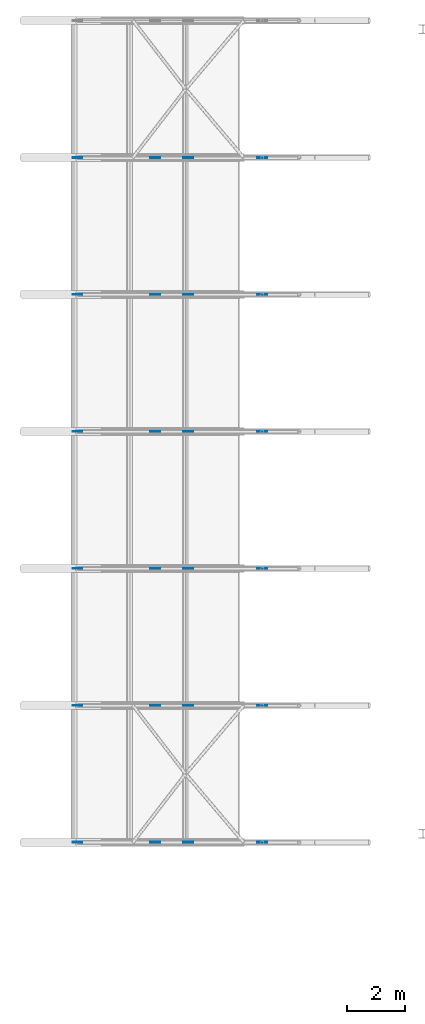
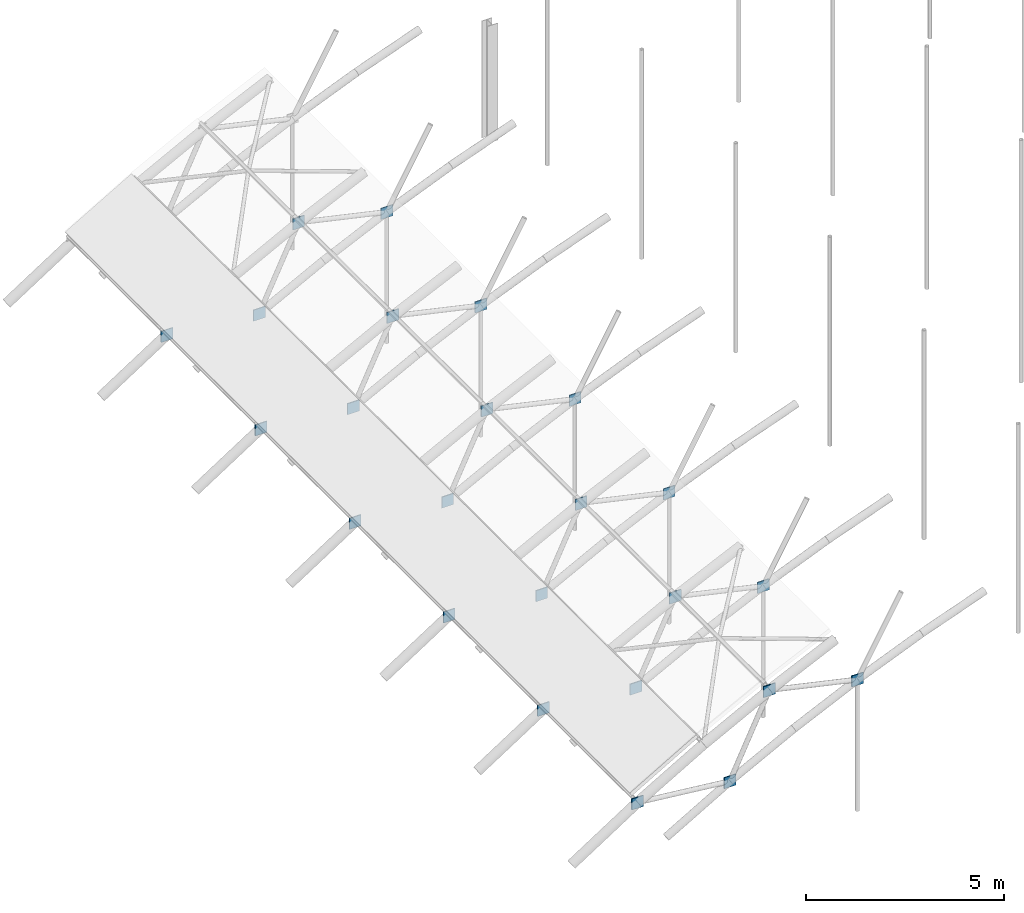
# One storey, part 35 of 50: 24 discrete accessories.
"""IFC4 building model written with IfcOpenShell, lengths in metres."""

from ifc_helpers import new_model, si_unit, direction, frame, origin, origin_2d, place, context, subcontext, project, spatial, rectangle, extrude, material, layer, layer_set, type_object, element, save


model = new_model("IFC4")

# Units and contexts
model_context = context("Model", 3, precision=1e-05, world=origin(), true_north=direction((0.0, 1.0)))
body_context = subcontext(model_context, "Body", "Model", "MODEL_VIEW")
ifc_project = project(units=[si_unit("LENGTHUNIT", "METRE"), si_unit("AREAUNIT", "SQUARE_METRE"), si_unit("VOLUMEUNIT", "CUBIC_METRE"), si_unit("PLANEANGLEUNIT", "RADIAN"), si_unit("MASSUNIT", "GRAM", prefix="KILO")], contexts=[model_context])

# Site, building, storey
site_placement = place(None, origin())
site = spatial("IfcSite", under=ifc_project, at=site_placement, CompositionType="ELEMENT")
building_placement = place(site_placement, origin())
building = spatial("IfcBuilding", under=site, at=building_placement, Name="Elbe Cascade School", CompositionType="ELEMENT")
storey_placement = place(building_placement, frame((0.0, 0.0, 15.300048828125)))
storey = spatial("IfcBuildingStorey", under=building, at=storey_placement, Name="L04", CompositionType="ELEMENT", Elevation=15.300048828125)

# Discrete accessories
ifc_material = material(Name="Steel S355J2", Category="steel")
ifc_layer = layer(ifc_material, 0.030029296875)
ifc_layer_set = layer_set([ifc_layer], Name="Steel S355J2")
discrete_accessory_type = type_object("IfcDiscreteAccessoryType", Name="Truss node connection", PredefinedType="BRACKET", material=ifc_layer_set)
for number, where, z_axis, x_axis, name in (
    (1, (11.71435546875, 41.0, 0.3984375), (0.0, 0.0, 1.0), (1.0, 0.0, 0.0), "Truss node connection AC1"),
    (2, (15.4287109375, 41.0, 2.2294921875), (0.0, 0.0, 1.0), (1.0, 0.0, 0.0), "Truss node connection AC1"),
    (3, (9.02197265625, 41.0, 0.68505859375), (0.0, 0.0, 1.0), (1.0, 0.0, 0.0), "Truss node connection AC1"),
    (4, (12.86474609375, 41.0, 2.80126953125), (0.0, 0.0, 1.0), (1.0, 0.0, 0.0), "Truss node connection AC1"),
    (5, (11.71435546875, 45.75, 0.3984375), (0.0, 0.0, 1.0), (1.0, 0.0, 0.0), "Truss node connection AC1"),
    (6, (15.4287109375, 45.75, 2.2294921875), (0.0, 0.0, 1.0), (1.0, 0.0, 0.0), "Truss node connection AC1"),
    (7, (9.02197265625, 45.75, 0.68505859375), (0.0, 0.0, 1.0), (1.0, 0.0, 0.0), "Truss node connection AC1"),
    (8, (12.86474609375, 45.75, 2.80126953125), (0.0, 0.0, 1.0), (1.0, 0.0, 0.0), "Truss node connection AC1"),
    (9, (11.71435546875, 50.5, 0.3984375), (0.0, 0.0, 1.0), (1.0, 0.0, 0.0), "Truss node connection AC1"),
    (10, (15.4287109375, 50.5, 2.2294921875), (0.0, 0.0, 1.0), (1.0, 0.0, 0.0), "Truss node connection AC1"),
    (11, (9.02197265625, 50.5, 0.68505859375), (0.0, 0.0, 1.0), (1.0, 0.0, 0.0), "Truss node connection AC1"),
    (12, (12.86474609375, 50.5, 2.80126953125), (0.0, 0.0, 1.0), (1.0, 0.0, 0.0), "Truss node connection AC1"),
    (13, (11.71435546875, 55.25, 0.3984375), (0.0, 0.0, 1.0), (1.0, 0.0, 0.0), "Truss node connection AC1"),
    (14, (15.4287109375, 55.25, 2.2294921875), (0.0, 0.0, 1.0), (1.0, 0.0, 0.0), "Truss node connection AC1"),
    (15, (9.02197265625, 55.25, 0.68505859375), (0.0, 0.0, 1.0), (1.0, 0.0, 0.0), "Truss node connection AC1"),
    (16, (12.86474609375, 55.25, 2.80126953125), (0.0, 0.0, 1.0), (1.0, 0.0, 0.0), "Truss node connection AC1"),
    (17, (11.71435546875, 60.0, 0.3984375), (0.0, 0.0, 1.0), (1.0, 0.0, 0.0), "Truss node connection AC1"),
    (18, (15.4287109375, 60.0, 2.2294921875), (0.0, 0.0, 1.0), (1.0, 0.0, 0.0), "Truss node connection AC1"),
    (19, (9.02197265625, 60.0, 0.68505859375), (0.0, 0.0, 1.0), (1.0, 0.0, 0.0), "Truss node connection AC1"),
    (20, (12.86474609375, 60.0, 2.80126953125), (0.0, 0.0, 1.0), (1.0, 0.0, 0.0), "Truss node connection AC1"),
    (21, (11.71435546875, 64.75, 0.3984375), (0.0, 0.0, 1.0), (1.0, 0.0, 0.0), "Truss node connection AC1"),
    (22, (15.4287109375, 64.75, 2.2294921875), (0.0, 0.0, 1.0), (1.0, 0.0, 0.0), "Truss node connection AC1"),
    (23, (9.02197265625, 64.75, 0.68505859375), (0.0, 0.0, 1.0), (1.0, 0.0, 0.0), "Truss node connection AC1"),
    (24, (12.86474609375, 64.75, 2.80126953125), (0.0, 0.0, 1.0), (1.0, 0.0, 0.0), "Truss node connection AC1"),
):
    element("IfcDiscreteAccessory", number, at=place(storey_placement, frame(where, z_axis=z_axis, x_axis=x_axis)), inside=storey, type_object=discrete_accessory_type, Name=name, PredefinedType="BRACKET", context=body_context, shape_type="SweptSolid", body=[
        extrude(rectangle(XDim=0.340087890625, YDim=0.030029296875, at=origin_2d()), origin(), (0.0, 0.0, 1.0), 0.340087890625),
    ])

save(model, "model.ifc")
